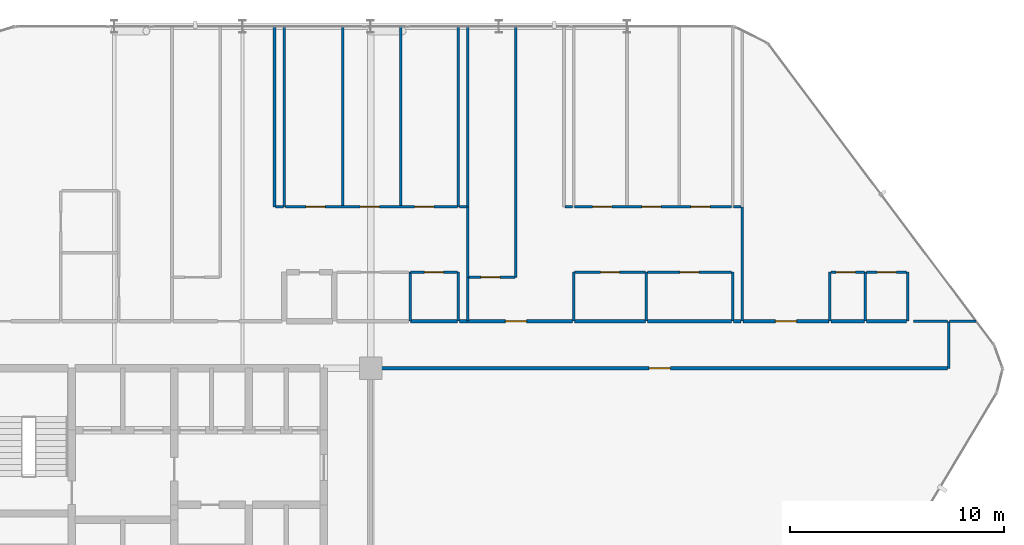
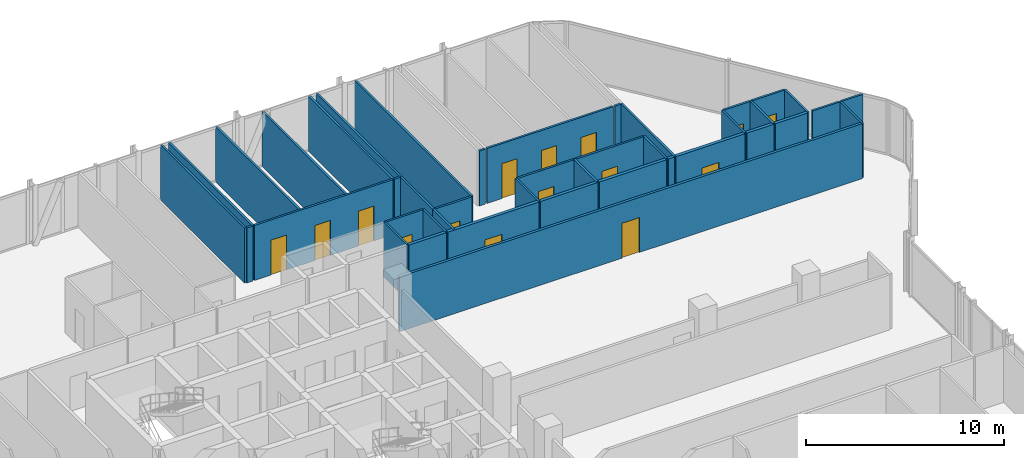
# One storey, part 27 of 29: 42 walls, 15 doors, 15 openings.
"""IFC4 building model written with IfcOpenShell, lengths in metres."""

from ifc_helpers import new_model, si_unit, direction, frame, frame_2d, origin, place, context, subcontext, project, spatial, rectangle, extrude, material, layer, layer_set, type_object, element, fill, save


model = new_model("IFC4")

# Units and contexts
model_context = context("Model", 3, precision=1e-05, world=origin(), true_north=direction((0.0, 1.0)))
body_context = subcontext(model_context, "Body", "Model", "MODEL_VIEW")
ifc_project = project(units=[si_unit("LENGTHUNIT", "METRE"), si_unit("AREAUNIT", "SQUARE_METRE"), si_unit("VOLUMEUNIT", "CUBIC_METRE"), si_unit("PLANEANGLEUNIT", "RADIAN"), si_unit("MASSUNIT", "GRAM", prefix="KILO")], contexts=[model_context])

# Site, building, storey
site_placement = place(None, origin())
site = spatial("IfcSite", under=ifc_project, at=site_placement, CompositionType="ELEMENT")
building_placement = place(site_placement, origin())
building = spatial("IfcBuilding", under=site, at=building_placement, Name="Keshet Zoharim Tower", CompositionType="ELEMENT")
storey_placement = place(building_placement, frame((0.0, 0.0, 102.0)))
storey = spatial("IfcBuildingStorey", under=building, at=storey_placement, Name="L24", CompositionType="ELEMENT", Elevation=102.0)

# Wall, opening, door
ifc_material_1 = material(Name="Gypsum Plasterboard", Category="gypsum")
ifc_layer_1 = layer(ifc_material_1, 0.14990234375)
ifc_layer_set_1 = layer_set([ifc_layer_1], Name="Gypsum Plasterboard")
wall_type_1 = type_object("IfcWallType", Name="WL-CLIN-150", PredefinedType="STANDARD", material=ifc_layer_set_1)
wall_1_placement = place(storey_placement, frame((33.070068359375, 37.89990234375, 0.0), z_axis=(0.0, 0.0, 1.0), x_axis=(1.0, 0.0, 0.0)))
wall_1 = element("IfcWall", 1, at=wall_1_placement, inside=storey, type_object=wall_type_1, Name="L24 Interior Wall 186", PredefinedType="STANDARD", context=body_context, shape_type="SweptSolid", body=[
    extrude(rectangle(XDim=26.934814453125, YDim=0.14990234375, at=frame_2d((13.46728515625, 0.0))), origin(), (0.0, 0.0, 1.0), 3.385009765625),
])
opening_1_placement = place(wall_1_placement, frame((12.9599609375, 0.0, 0.0)))
opening_1 = element("IfcOpeningElement", 2, at=opening_1_placement, cuts=wall_1, Name="Opening D-F310", PredefinedType="OPENING", context=body_context, shape_type="SweptSolid", body=[
    extrude(rectangle(XDim=1.0, YDim=2.14990234375, at=frame_2d((0.5, 1.074951171875))), frame((0.0, 0.0849609375, 0.0), z_axis=(0.0, -1.0, 0.0), x_axis=(1.0, 0.0, 0.0)), (0.0, 0.0, 1.0), 0.169921875),
])
ifc_material_2 = material(Name="Hardwood Timber", Category="wood")
door_type_1 = type_object("IfcDoorType", Name="DR-FD30-100", OperationType="NOTDEFINED", PredefinedType="DOOR", material=ifc_material_2)
door_1_placement = place(opening_1_placement, origin())
door_1 = element("IfcDoor", 3, at=door_1_placement, inside=storey, type_object=door_type_1, Name="L24 North East Residents Services Suite Door 1", OperationType="SINGLE_SWING_RIGHT", OverallHeight=2.14990234375, OverallWidth=1.0, PredefinedType="DOOR", context=body_context, shape_type="SweptSolid", body=[
    extrude(rectangle(XDim=1.0, YDim=2.14990234375, at=frame_2d((0.5, 1.074951171875))), frame((0.0, 0.02490234375, 0.0), z_axis=(0.0, -1.0, 0.0), x_axis=(1.0, 0.0, 0.0)), (0.0, 0.0, 1.0), 0.050048828125),
])
fill(opening_1, door_1)

# Wall
ifc_layer_2 = layer(ifc_material_1, 0.179931640625)
ifc_layer_set_2 = layer_set([ifc_layer_2], Name="Gypsum Plasterboard")
wall_type_2 = type_object("IfcWallType", Name="WL-CORR-180", PredefinedType="STANDARD", material=ifc_layer_set_2)
wall_2_placement = place(storey_placement, frame((34.873046875, 40.10009765625, 0.0), z_axis=(0.0, 0.0, 1.0), x_axis=(1.0, 0.0, 0.0)))
element("IfcWall", 4, at=wall_2_placement, inside=storey, type_object=wall_type_2, Name="L24 Interior Wall 195", PredefinedType="STANDARD", context=body_context, shape_type="SweptSolid", body=[
    extrude(rectangle(XDim=2.19189453125, YDim=0.179931640625, at=frame_2d((1.095947265625, 0.0))), origin(), (0.0, 0.0, 1.0), 3.385009765625),
])

# Wall, opening, door
wall_3_placement = place(storey_placement, frame((37.155029296875, 40.10009765625, 0.0), z_axis=(0.0, 0.0, 1.0), x_axis=(1.0, 0.0, 0.0)))
wall_3 = element("IfcWall", 5, at=wall_3_placement, inside=storey, type_object=wall_type_2, Name="L24 Interior Wall 196", PredefinedType="STANDARD", context=body_context, shape_type="SweptSolid", body=[
    extrude(rectangle(XDim=5.300048828125, YDim=0.179931640625, at=frame_2d((2.64990234375, 0.0))), origin(), (0.0, 0.0, 1.0), 3.385009765625),
])
opening_2_placement = place(wall_3_placement, frame((2.14990234375, 0.0, 0.0)))
opening_2 = element("IfcOpeningElement", 6, at=opening_2_placement, cuts=wall_3, Name="Opening D-F310", PredefinedType="OPENING", context=body_context, shape_type="SweptSolid", body=[
    extrude(rectangle(XDim=1.0, YDim=2.14990234375, at=frame_2d((0.5, 1.074951171875))), frame((0.0, 0.10009765625, 0.0), z_axis=(0.0, -1.0, 0.0), x_axis=(1.0, 0.0, 0.0)), (0.0, 0.0, 1.0), 0.199951171875),
])
door_2_placement = place(opening_2_placement, origin())
door_2 = element("IfcDoor", 7, at=door_2_placement, inside=storey, type_object=door_type_1, Name="Apartment 2407 Entrance Door", OperationType="SINGLE_SWING_LEFT", OverallHeight=2.14990234375, OverallWidth=1.0, PredefinedType="DOOR", context=body_context, shape_type="SweptSolid", body=[
    extrude(rectangle(XDim=1.0, YDim=2.14990234375, at=frame_2d((0.5, 1.074951171875))), frame((0.0, 0.02490234375, 0.0), z_axis=(0.0, -1.0, 0.0), x_axis=(1.0, 0.0, 0.0)), (0.0, 0.0, 1.0), 0.050048828125),
])
fill(opening_2, door_2)

# Walls
wall_4_placement = place(storey_placement, frame((42.544921875, 40.10009765625, 0.0), z_axis=(0.0, 0.0, 1.0), x_axis=(1.0, 0.0, 0.0)))
element("IfcWall", 8, at=wall_4_placement, inside=storey, type_object=wall_type_2, Name="L24 Interior Wall 197", PredefinedType="STANDARD", context=body_context, shape_type="SweptSolid", body=[
    extrude(rectangle(XDim=3.328125, YDim=0.179931640625, at=frame_2d((1.6640625, 0.0))), origin(), (0.0, 0.0, 1.0), 3.385009765625),
])
wall_5_placement = place(storey_placement, frame((45.962890625, 40.10009765625, 0.0), z_axis=(0.0, 0.0, 1.0), x_axis=(1.0, 0.0, 0.0)))
element("IfcWall", 9, at=wall_5_placement, inside=storey, type_object=wall_type_2, Name="L24 Interior Wall 198", PredefinedType="STANDARD", context=body_context, shape_type="SweptSolid", body=[
    extrude(rectangle(XDim=3.922119140625, YDim=0.179931640625, at=frame_2d((1.9609375, 0.0))), origin(), (0.0, 0.0, 1.0), 3.385009765625),
])
wall_6_placement = place(storey_placement, frame((49.97509765625, 40.10009765625, 0.0), z_axis=(0.0, 0.0, 1.0), x_axis=(1.0, 0.0, 0.0)))
element("IfcWall", 10, at=wall_6_placement, inside=storey, type_object=wall_type_2, Name="L24 Interior Wall 199", PredefinedType="STANDARD", context=body_context, shape_type="SweptSolid", body=[
    extrude(rectangle(XDim=0.35986328125, YDim=0.179931640625, at=frame_2d((0.179931640625, 0.0))), origin(), (0.0, 0.0, 1.0), 3.385009765625),
])

# Wall, opening, door
wall_7_placement = place(storey_placement, frame((50.425048828125, 40.10009765625, 0.0), z_axis=(0.0, 0.0, 1.0), x_axis=(1.0, 0.0, 0.0)))
wall_7 = element("IfcWall", 11, at=wall_7_placement, inside=storey, type_object=wall_type_2, Name="L24 Interior Wall 200", PredefinedType="STANDARD", context=body_context, shape_type="SweptSolid", body=[
    extrude(rectangle(XDim=4.030029296875, YDim=0.179931640625, at=frame_2d((2.01513671875, 0.0))), origin(), (0.0, 0.0, 1.0), 3.385009765625),
])
opening_3_placement = place(wall_7_placement, frame((1.514892578125, 0.0, 0.0)))
opening_3 = element("IfcOpeningElement", 12, at=opening_3_placement, cuts=wall_7, Name="Opening D-F310", PredefinedType="OPENING", context=body_context, shape_type="SweptSolid", body=[
    extrude(rectangle(XDim=1.0, YDim=2.14990234375, at=frame_2d((0.5, 1.074951171875))), frame((0.0, 0.10009765625, 0.0), z_axis=(0.0, -1.0, 0.0), x_axis=(1.0, 0.0, 0.0)), (0.0, 0.0, 1.0), 0.199951171875),
])
door_3_placement = place(opening_3_placement, origin())
door_3 = element("IfcDoor", 13, at=door_3_placement, inside=storey, type_object=door_type_1, Name="Apartment 2408 Entrance Door", OperationType="SINGLE_SWING_RIGHT", OverallHeight=2.14990234375, OverallWidth=1.0, PredefinedType="DOOR", context=body_context, shape_type="SweptSolid", body=[
    extrude(rectangle(XDim=1.0, YDim=2.14990234375, at=frame_2d((0.5, 1.074951171875))), frame((0.0, 0.02490234375, 0.0), z_axis=(0.0, -1.0, 0.0), x_axis=(1.0, 0.0, 0.0)), (0.0, 0.0, 1.0), 0.050048828125),
])
fill(opening_3, door_3)

# Walls
wall_8_placement = place(storey_placement, frame((54.544921875, 40.10009765625, 0.0), z_axis=(0.0, 0.0, 1.0), x_axis=(1.0, 0.0, 0.0)))
element("IfcWall", 14, at=wall_8_placement, inside=storey, type_object=wall_type_2, Name="L24 Interior Wall 201", PredefinedType="STANDARD", context=body_context, shape_type="SweptSolid", body=[
    extrude(rectangle(XDim=1.5830078125, YDim=0.179931640625, at=frame_2d((0.79150390625, 0.0))), origin(), (0.0, 0.0, 1.0), 3.385009765625),
])
wall_9_placement = place(storey_placement, frame((56.218017578125, 40.10009765625, 0.0), z_axis=(0.0, 0.0, 1.0), x_axis=(1.0, 0.0, 0.0)))
element("IfcWall", 15, at=wall_9_placement, inside=storey, type_object=wall_type_2, Name="L24 Interior Wall 202", PredefinedType="STANDARD", context=body_context, shape_type="SweptSolid", body=[
    extrude(rectangle(XDim=1.875, YDim=0.179931640625, at=frame_2d((0.9375, 0.0))), origin(), (0.0, 0.0, 1.0), 3.385009765625),
])
ifc_layer_3 = layer(ifc_material_1, 0.1201171875)
ifc_layer_set_3 = layer_set([ifc_layer_3], Name="Gypsum Plasterboard")
wall_type_3 = type_object("IfcWallType", Name="WL-PART-120", PredefinedType="PARTITIONING", material=ifc_layer_set_3)
for number, where, z_axis, x_axis, name in (
    (16, (28.5, 45.449951171875, 0.0), (0.0, 0.0, 1.0), (0.0, 1.0, 0.0), "L24 Interior Wall 055"),
    (17, (28.949951171875, 45.449951171875, 0.0), (0.0, 0.0, 1.0), (0.0, 1.0, 0.0), "L24 Interior Wall 058"),
    (18, (31.699951171875, 45.449951171875, 0.0), (0.0, 0.0, 1.0), (0.0, 1.0, 0.0), "L24 Interior Wall 069"),
    (19, (34.39990234375, 45.449951171875, 0.0), (0.0, 0.0, 1.0), (0.0, 1.0, 0.0), "L24 Interior Wall 077"),
    (20, (37.10009765625, 45.449951171875, 0.0), (0.0, 0.0, 1.0), (0.0, 1.0, 0.0), "L24 Interior Wall 082"),
):
    element("IfcWall", number, at=place(storey_placement, frame(where, z_axis=z_axis, x_axis=x_axis)), inside=storey, type_object=wall_type_3, Name=name, PredefinedType="PARTITIONING", context=body_context, shape_type="SweptSolid", body=[
        extrude(rectangle(XDim=8.43994140625, YDim=0.1201171875, at=frame_2d((4.219970703125, 0.0))), origin(), (0.0, 0.0, 1.0), 3.385009765625),
    ])
wall_10_placement = place(storey_placement, frame((37.550048828125, 40.10009765625, 0.0), z_axis=(0.0, 0.0, 1.0), x_axis=(0.0, 1.0, 0.0)))
element("IfcWall", 21, at=wall_10_placement, inside=storey, type_object=wall_type_3, Name="L24 Interior Wall 085", PredefinedType="PARTITIONING", context=body_context, shape_type="SweptSolid", body=[
    extrude(rectangle(XDim=2.0498046875, YDim=0.1201171875, at=frame_2d((1.02490234375, 0.0))), origin(), (0.0, 0.0, 1.0), 3.385009765625),
])
wall_11_placement = place(storey_placement, frame((37.550048828125, 42.14990234375, 0.0), z_axis=(0.0, 0.0, 1.0), x_axis=(0.0, 1.0, 0.0)))
element("IfcWall", 22, at=wall_11_placement, inside=storey, type_object=wall_type_3, Name="L24 Interior Wall 086", PredefinedType="PARTITIONING", context=body_context, shape_type="SweptSolid", body=[
    extrude(rectangle(XDim=3.300048828125, YDim=0.1201171875, at=frame_2d((1.64990234375, 0.0))), origin(), (0.0, 0.0, 1.0), 3.385009765625),
])
wall_12_placement = place(storey_placement, frame((37.550048828125, 45.449951171875, 0.0), z_axis=(0.0, 0.0, 1.0), x_axis=(0.0, 1.0, 0.0)))
element("IfcWall", 23, at=wall_12_placement, inside=storey, type_object=wall_type_3, Name="L24 Interior Wall 087", PredefinedType="PARTITIONING", context=body_context, shape_type="SweptSolid", body=[
    extrude(rectangle(XDim=8.43994140625, YDim=0.1201171875, at=frame_2d((4.219970703125, 0.0))), origin(), (0.0, 0.0, 1.0), 3.385009765625),
])
wall_13_placement = place(storey_placement, frame((39.800048828125, 42.14990234375, 0.0), z_axis=(0.0, 0.0, 1.0), x_axis=(0.0, 1.0, 0.0)))
element("IfcWall", 24, at=wall_13_placement, inside=storey, type_object=wall_type_3, Name="L24 Interior Wall 089", PredefinedType="PARTITIONING", context=body_context, shape_type="SweptSolid", body=[
    extrude(rectangle(XDim=11.739990234375, YDim=0.1201171875, at=frame_2d((5.8701171875, 0.0))), origin(), (0.0, 0.0, 1.0), 3.385009765625),
])
wall_14_placement = place(storey_placement, frame((42.5, 40.10009765625, 0.0), z_axis=(0.0, 0.0, 1.0), x_axis=(0.0, 1.0, 0.0)))
element("IfcWall", 25, at=wall_14_placement, inside=storey, type_object=wall_type_3, Name="L24 Interior Wall 093", PredefinedType="PARTITIONING", context=body_context, shape_type="SweptSolid", body=[
    extrude(rectangle(XDim=2.2998046875, YDim=0.1201171875, at=frame_2d((1.14990234375, 0.0))), origin(), (0.0, 0.0, 1.0), 3.385009765625),
])
wall_15_placement = place(storey_placement, frame((50.39990234375, 40.10009765625, 0.0), z_axis=(0.0, 0.0, 1.0), x_axis=(0.0, 1.0, 0.0)))
element("IfcWall", 26, at=wall_15_placement, inside=storey, type_object=wall_type_3, Name="L24 Interior Wall 106", PredefinedType="PARTITIONING", context=body_context, shape_type="SweptSolid", body=[
    extrude(rectangle(XDim=5.349853515625, YDim=0.1201171875, at=frame_2d((2.6748046875, 0.0))), origin(), (0.0, 0.0, 1.0), 3.385009765625),
])
wall_16_placement = place(storey_placement, frame((54.5, 40.10009765625, 0.0), z_axis=(0.0, 0.0, 1.0), x_axis=(0.0, 1.0, 0.0)))
element("IfcWall", 27, at=wall_16_placement, inside=storey, type_object=wall_type_3, Name="L24 Interior Wall 110", PredefinedType="PARTITIONING", context=body_context, shape_type="SweptSolid", body=[
    extrude(rectangle(XDim=2.2998046875, YDim=0.1201171875, at=frame_2d((1.14990234375, 0.0))), origin(), (0.0, 0.0, 1.0), 3.385009765625),
])
wall_17_placement = place(storey_placement, frame((60.050048828125, 37.889892578125, 0.0), z_axis=(0.0, 0.0, 1.0), x_axis=(0.0, 1.0, 0.0)))
element("IfcWall", 28, at=wall_17_placement, inside=storey, type_object=wall_type_3, Name="L24 Interior Wall 116", PredefinedType="PARTITIONING", context=body_context, shape_type="SweptSolid", body=[
    extrude(rectangle(XDim=2.2001953125, YDim=0.1201171875, at=frame_2d((1.10009765625, 0.0))), origin(), (0.0, 0.0, 1.0), 3.385009765625),
])
wall_18_placement = place(storey_placement, frame((58.39990234375, 40.10009765625, 0.0), z_axis=(0.0, 0.0, 1.0), x_axis=(1.0, 0.0, 0.0)))
element("IfcWall", 29, at=wall_18_placement, inside=storey, type_object=wall_type_3, Name="L24 Interior Wall 203", PredefinedType="PARTITIONING", context=body_context, shape_type="SweptSolid", body=[
    extrude(rectangle(XDim=1.60498046875, YDim=0.1201171875, at=frame_2d((0.802490234375, 0.0))), origin(), (0.0, 0.0, 1.0), 3.385009765625),
])
wall_19_placement = place(storey_placement, frame((60.094970703125, 40.10009765625, 0.0), z_axis=(0.0, 0.0, 1.0), x_axis=(1.0, 0.0, 0.0)))
element("IfcWall", 30, at=wall_19_placement, inside=storey, type_object=wall_type_3, Name="L24 Interior Wall 204", PredefinedType="PARTITIONING", context=body_context, shape_type="SweptSolid", body=[
    extrude(rectangle(XDim=1.2451171875, YDim=0.1201171875, at=frame_2d((0.62255859375, 0.0))), origin(), (0.0, 0.0, 1.0), 3.385009765625),
])

# Wall, opening, door
wall_20_placement = place(storey_placement, frame((37.60498046875, 42.14990234375, 0.0), z_axis=(0.0, 0.0, 1.0), x_axis=(1.0, 0.0, 0.0)))
wall_20 = element("IfcWall", 31, at=wall_20_placement, inside=storey, type_object=wall_type_3, Name="L24 Interior Wall 206", PredefinedType="PARTITIONING", context=body_context, shape_type="SweptSolid", body=[
    extrude(rectangle(XDim=2.159912109375, YDim=0.1201171875, at=frame_2d((1.080078125, 0.0))), origin(), (0.0, 0.0, 1.0), 3.385009765625),
])
opening_4_placement = place(wall_20_placement, frame((0.552978515625, 0.0, 0.0)))
opening_4 = element("IfcOpeningElement", 32, at=opening_4_placement, cuts=wall_20, Name="Opening D-IN90", PredefinedType="OPENING", context=body_context, shape_type="SweptSolid", body=[
    extrude(rectangle(XDim=0.89990234375, YDim=2.14990234375, at=frame_2d((0.449951171875, 1.074951171875))), frame((0.0, 0.070068359375, 0.0), z_axis=(0.0, -1.0, 0.0), x_axis=(1.0, 0.0, 0.0)), (0.0, 0.0, 1.0), 0.14013671875),
])
door_type_2 = type_object("IfcDoorType", Name="DR-INT-090", OperationType="NOTDEFINED", PredefinedType="DOOR", material=ifc_material_2)
door_4_placement = place(opening_4_placement, origin())
door_4 = element("IfcDoor", 33, at=door_4_placement, inside=storey, type_object=door_type_2, Name="Apartment 2407 Formal Dining Room Door", OperationType="SINGLE_SWING_RIGHT", OverallHeight=2.14990234375, OverallWidth=0.89990234375, PredefinedType="DOOR", context=body_context, shape_type="SweptSolid", body=[
    extrude(rectangle(XDim=0.89990234375, YDim=2.14990234375, at=frame_2d((0.449951171875, 1.074951171875))), frame((0.0, 0.02490234375, 0.0), z_axis=(0.0, -1.0, 0.0), x_axis=(1.0, 0.0, 0.0)), (0.0, 0.0, 1.0), 0.050048828125),
])
fill(opening_4, door_4)

wall_21_placement = place(storey_placement, frame((42.544921875, 42.39990234375, 0.0), z_axis=(0.0, 0.0, 1.0), x_axis=(1.0, 0.0, 0.0)))
wall_21 = element("IfcWall", 34, at=wall_21_placement, inside=storey, type_object=wall_type_3, Name="L24 Interior Wall 210", PredefinedType="PARTITIONING", context=body_context, shape_type="SweptSolid", body=[
    extrude(rectangle(XDim=3.328125, YDim=0.1201171875, at=frame_2d((1.6640625, 0.0))), origin(), (0.0, 0.0, 1.0), 3.385009765625),
])
opening_5_placement = place(wall_21_placement, frame((1.214111328125, 0.0, 0.0)))
opening_5 = element("IfcOpeningElement", 35, at=opening_5_placement, cuts=wall_21, Name="Opening D-IN90", PredefinedType="OPENING", context=body_context, shape_type="SweptSolid", body=[
    extrude(rectangle(XDim=0.89990234375, YDim=2.14990234375, at=frame_2d((0.449951171875, 1.074951171875))), frame((0.0, 0.070068359375, 0.0), z_axis=(0.0, -1.0, 0.0), x_axis=(1.0, 0.0, 0.0)), (0.0, 0.0, 1.0), 0.14013671875),
])
door_5_placement = place(opening_5_placement, origin())
door_5 = element("IfcDoor", 36, at=door_5_placement, inside=storey, type_object=door_type_2, Name="Apartment 2407 Kitchen Door", OperationType="SINGLE_SWING_RIGHT", OverallHeight=2.14990234375, OverallWidth=0.89990234375, PredefinedType="DOOR", context=body_context, shape_type="SweptSolid", body=[
    extrude(rectangle(XDim=0.89990234375, YDim=2.14990234375, at=frame_2d((0.449951171875, 1.074951171875))), frame((0.0, 0.02490234375, 0.0), z_axis=(0.0, -1.0, 0.0), x_axis=(1.0, 0.0, 0.0)), (0.0, 0.0, 1.0), 0.050048828125),
])
fill(opening_5, door_5)

wall_22_placement = place(storey_placement, frame((54.544921875, 42.39990234375, 0.0), z_axis=(0.0, 0.0, 1.0), x_axis=(1.0, 0.0, 0.0)))
wall_22 = element("IfcWall", 37, at=wall_22_placement, inside=storey, type_object=wall_type_3, Name="L24 Interior Wall 212", PredefinedType="PARTITIONING", context=body_context, shape_type="SweptSolid", body=[
    extrude(rectangle(XDim=1.5830078125, YDim=0.1201171875, at=frame_2d((0.79150390625, 0.0))), origin(), (0.0, 0.0, 1.0), 3.385009765625),
])
opening_6_placement = place(wall_22_placement, frame((0.2490234375, 0.0, 0.0)))
opening_6 = element("IfcOpeningElement", 38, at=opening_6_placement, cuts=wall_22, Name="Opening D-IN90", PredefinedType="OPENING", context=body_context, shape_type="SweptSolid", body=[
    extrude(rectangle(XDim=0.89990234375, YDim=2.14990234375, at=frame_2d((0.449951171875, 1.074951171875))), frame((0.0, 0.070068359375, 0.0), z_axis=(0.0, -1.0, 0.0), x_axis=(1.0, 0.0, 0.0)), (0.0, 0.0, 1.0), 0.14013671875),
])
door_6_placement = place(opening_6_placement, origin())
door_6 = element("IfcDoor", 39, at=door_6_placement, inside=storey, type_object=door_type_2, Name="Apartment 2408 Kitchen Door", OperationType="SINGLE_SWING_RIGHT", OverallHeight=2.14990234375, OverallWidth=0.89990234375, PredefinedType="DOOR", context=body_context, shape_type="SweptSolid", body=[
    extrude(rectangle(XDim=0.89990234375, YDim=2.14990234375, at=frame_2d((0.449951171875, 1.074951171875))), frame((0.0, 0.02490234375, 0.0), z_axis=(0.0, -1.0, 0.0), x_axis=(1.0, 0.0, 0.0)), (0.0, 0.0, 1.0), 0.050048828125),
])
fill(opening_6, door_6)

# Wall
wall_23_placement = place(storey_placement, frame((28.554931640625, 45.449951171875, 0.0), z_axis=(0.0, 0.0, 1.0), x_axis=(1.0, 0.0, 0.0)))
element("IfcWall", 40, at=wall_23_placement, inside=storey, type_object=wall_type_3, Name="L24 Interior Wall 215", PredefinedType="PARTITIONING", context=body_context, shape_type="SweptSolid", body=[
    extrude(rectangle(XDim=0.360107421875, YDim=0.1201171875, at=frame_2d((0.18017578125, 0.0))), origin(), (0.0, 0.0, 1.0), 3.385009765625),
])

# Wall, openings, doors
wall_24_placement = place(storey_placement, frame((29.0048828125, 45.449951171875, 0.0), z_axis=(0.0, 0.0, 1.0), x_axis=(1.0, 0.0, 0.0)))
wall_24 = element("IfcWall", 41, at=wall_24_placement, inside=storey, type_object=wall_type_3, Name="L24 Interior Wall 216", PredefinedType="PARTITIONING", context=body_context, shape_type="SweptSolid", body=[
    extrude(rectangle(XDim=8.06005859375, YDim=0.1201171875, at=frame_2d((4.030029296875, 0.0))), origin(), (0.0, 0.0, 1.0), 3.385009765625),
])
opening_7_placement = place(wall_24_placement, frame((0.968017578125, 0.0, 0.0)))
opening_7 = element("IfcOpeningElement", 42, at=opening_7_placement, cuts=wall_24, Name="Opening D-IN90", PredefinedType="OPENING", context=body_context, shape_type="SweptSolid", body=[
    extrude(rectangle(XDim=0.89990234375, YDim=2.14990234375, at=frame_2d((0.449951171875, 1.074951171875))), frame((0.0, 0.070068359375, 0.0), z_axis=(0.0, -1.0, 0.0), x_axis=(1.0, 0.0, 0.0)), (0.0, 0.0, 1.0), 0.14013671875),
])
opening_8_placement = place(wall_24_placement, frame((3.507080078125, 0.0, 0.0)))
opening_8 = element("IfcOpeningElement", 43, at=opening_8_placement, cuts=wall_24, Name="Opening D-IN90", PredefinedType="OPENING", context=body_context, shape_type="SweptSolid", body=[
    extrude(rectangle(XDim=0.89990234375, YDim=2.14990234375, at=frame_2d((0.449951171875, 1.074951171875))), frame((0.0, 0.070068359375, 0.0), z_axis=(0.0, -1.0, 0.0), x_axis=(1.0, 0.0, 0.0)), (0.0, 0.0, 1.0), 0.14013671875),
])
opening_9_placement = place(wall_24_placement, frame((6.051025390625, 0.0, 0.0)))
opening_9 = element("IfcOpeningElement", 44, at=opening_9_placement, cuts=wall_24, Name="Opening D-IN90", PredefinedType="OPENING", context=body_context, shape_type="SweptSolid", body=[
    extrude(rectangle(XDim=0.89990234375, YDim=2.14990234375, at=frame_2d((0.449951171875, 1.074951171875))), frame((0.0, 0.070068359375, 0.0), z_axis=(0.0, -1.0, 0.0), x_axis=(1.0, 0.0, 0.0)), (0.0, 0.0, 1.0), 0.14013671875),
])
door_7_placement = place(opening_7_placement, origin())
door_7 = element("IfcDoor", 45, at=door_7_placement, inside=storey, type_object=door_type_2, Name="Apartment 2406 Bedroom 1 Door", OperationType="SINGLE_SWING_RIGHT", OverallHeight=2.14990234375, OverallWidth=0.89990234375, PredefinedType="DOOR", context=body_context, shape_type="SweptSolid", body=[
    extrude(rectangle(XDim=0.89990234375, YDim=2.14990234375, at=frame_2d((0.449951171875, 1.074951171875))), frame((0.0, 0.02490234375, 0.0), z_axis=(0.0, -1.0, 0.0), x_axis=(1.0, 0.0, 0.0)), (0.0, 0.0, 1.0), 0.050048828125),
])
fill(opening_7, door_7)
door_8_placement = place(opening_8_placement, origin())
door_8 = element("IfcDoor", 46, at=door_8_placement, inside=storey, type_object=door_type_2, Name="Apartment 2406 Bedroom 2 Door", OperationType="SINGLE_SWING_LEFT", OverallHeight=2.14990234375, OverallWidth=0.89990234375, PredefinedType="DOOR", context=body_context, shape_type="SweptSolid", body=[
    extrude(rectangle(XDim=0.89990234375, YDim=2.14990234375, at=frame_2d((0.449951171875, 1.074951171875))), frame((0.0, 0.02490234375, 0.0), z_axis=(0.0, -1.0, 0.0), x_axis=(1.0, 0.0, 0.0)), (0.0, 0.0, 1.0), 0.050048828125),
])
fill(opening_8, door_8)
door_9_placement = place(opening_9_placement, origin())
door_9 = element("IfcDoor", 47, at=door_9_placement, inside=storey, type_object=door_type_2, Name="Apartment 2406 Bedroom 3 Door", OperationType="SINGLE_SWING_RIGHT", OverallHeight=2.14990234375, OverallWidth=0.89990234375, PredefinedType="DOOR", context=body_context, shape_type="SweptSolid", body=[
    extrude(rectangle(XDim=0.89990234375, YDim=2.14990234375, at=frame_2d((0.449951171875, 1.074951171875))), frame((0.0, 0.02490234375, 0.0), z_axis=(0.0, -1.0, 0.0), x_axis=(1.0, 0.0, 0.0)), (0.0, 0.0, 1.0), 0.050048828125),
])
fill(opening_9, door_9)

# Walls
wall_25_placement = place(storey_placement, frame((37.155029296875, 45.449951171875, 0.0), z_axis=(0.0, 0.0, 1.0), x_axis=(1.0, 0.0, 0.0)))
element("IfcWall", 48, at=wall_25_placement, inside=storey, type_object=wall_type_3, Name="L24 Interior Wall 217", PredefinedType="PARTITIONING", context=body_context, shape_type="SweptSolid", body=[
    extrude(rectangle(XDim=0.35986328125, YDim=0.1201171875, at=frame_2d((0.179931640625, 0.0))), origin(), (0.0, 0.0, 1.0), 3.385009765625),
])
wall_26_placement = place(storey_placement, frame((42.094970703125, 45.449951171875, 0.0), z_axis=(0.0, 0.0, 1.0), x_axis=(1.0, 0.0, 0.0)))
element("IfcWall", 49, at=wall_26_placement, inside=storey, type_object=wall_type_3, Name="L24 Interior Wall 218", PredefinedType="PARTITIONING", context=body_context, shape_type="SweptSolid", body=[
    extrude(rectangle(XDim=0.360107421875, YDim=0.1201171875, at=frame_2d((0.18017578125, 0.0))), origin(), (0.0, 0.0, 1.0), 3.385009765625),
])

# Wall, openings, doors
wall_27_placement = place(storey_placement, frame((42.544921875, 45.449951171875, 0.0), z_axis=(0.0, 0.0, 1.0), x_axis=(1.0, 0.0, 0.0)))
wall_27 = element("IfcWall", 50, at=wall_27_placement, inside=storey, type_object=wall_type_3, Name="L24 Interior Wall 219", PredefinedType="PARTITIONING", context=body_context, shape_type="SweptSolid", body=[
    extrude(rectangle(XDim=7.340087890625, YDim=0.1201171875, at=frame_2d((3.669921875, 0.0))), origin(), (0.0, 0.0, 1.0), 3.385009765625),
])
opening_10_placement = place(wall_27_placement, frame((0.845947265625, 0.0, 0.0)))
opening_10 = element("IfcOpeningElement", 51, at=opening_10_placement, cuts=wall_27, Name="Opening D-IN90", PredefinedType="OPENING", context=body_context, shape_type="SweptSolid", body=[
    extrude(rectangle(XDim=0.89990234375, YDim=2.14990234375, at=frame_2d((0.449951171875, 1.074951171875))), frame((0.0, 0.070068359375, 0.0), z_axis=(0.0, -1.0, 0.0), x_axis=(1.0, 0.0, 0.0)), (0.0, 0.0, 1.0), 0.14013671875),
])
opening_11_placement = place(wall_27_placement, frame((3.14501953125, 0.0, 0.0)))
opening_11 = element("IfcOpeningElement", 52, at=opening_11_placement, cuts=wall_27, Name="Opening D-IN90", PredefinedType="OPENING", context=body_context, shape_type="SweptSolid", body=[
    extrude(rectangle(XDim=0.89990234375, YDim=2.14990234375, at=frame_2d((0.449951171875, 1.074951171875))), frame((0.0, 0.070068359375, 0.0), z_axis=(0.0, -1.0, 0.0), x_axis=(1.0, 0.0, 0.0)), (0.0, 0.0, 1.0), 0.14013671875),
])
opening_12_placement = place(wall_27_placement, frame((5.448974609375, 0.0, 0.0)))
opening_12 = element("IfcOpeningElement", 53, at=opening_12_placement, cuts=wall_27, Name="Opening D-IN90", PredefinedType="OPENING", context=body_context, shape_type="SweptSolid", body=[
    extrude(rectangle(XDim=0.89990234375, YDim=2.14990234375, at=frame_2d((0.449951171875, 1.074951171875))), frame((0.0, 0.070068359375, 0.0), z_axis=(0.0, -1.0, 0.0), x_axis=(1.0, 0.0, 0.0)), (0.0, 0.0, 1.0), 0.14013671875),
])
door_10_placement = place(opening_10_placement, origin())
door_10 = element("IfcDoor", 54, at=door_10_placement, inside=storey, type_object=door_type_2, Name="Apartment 2407 Bedroom 1 Door", OperationType="SINGLE_SWING_LEFT", OverallHeight=2.14990234375, OverallWidth=0.89990234375, PredefinedType="DOOR", context=body_context, shape_type="SweptSolid", body=[
    extrude(rectangle(XDim=0.89990234375, YDim=2.14990234375, at=frame_2d((0.449951171875, 1.074951171875))), frame((0.0, 0.02490234375, 0.0), z_axis=(0.0, -1.0, 0.0), x_axis=(1.0, 0.0, 0.0)), (0.0, 0.0, 1.0), 0.050048828125),
])
fill(opening_10, door_10)
door_11_placement = place(opening_11_placement, origin())
door_11 = element("IfcDoor", 55, at=door_11_placement, inside=storey, type_object=door_type_2, Name="Apartment 2407 Bedroom 2 Door", OperationType="SINGLE_SWING_RIGHT", OverallHeight=2.14990234375, OverallWidth=0.89990234375, PredefinedType="DOOR", context=body_context, shape_type="SweptSolid", body=[
    extrude(rectangle(XDim=0.89990234375, YDim=2.14990234375, at=frame_2d((0.449951171875, 1.074951171875))), frame((0.0, 0.02490234375, 0.0), z_axis=(0.0, -1.0, 0.0), x_axis=(1.0, 0.0, 0.0)), (0.0, 0.0, 1.0), 0.050048828125),
])
fill(opening_11, door_11)
door_12_placement = place(opening_12_placement, origin())
door_12 = element("IfcDoor", 56, at=door_12_placement, inside=storey, type_object=door_type_2, Name="Apartment 2407 Bedroom 3 Door", OperationType="SINGLE_SWING_LEFT", OverallHeight=2.14990234375, OverallWidth=0.89990234375, PredefinedType="DOOR", context=body_context, shape_type="SweptSolid", body=[
    extrude(rectangle(XDim=0.89990234375, YDim=2.14990234375, at=frame_2d((0.449951171875, 1.074951171875))), frame((0.0, 0.02490234375, 0.0), z_axis=(0.0, -1.0, 0.0), x_axis=(1.0, 0.0, 0.0)), (0.0, 0.0, 1.0), 0.050048828125),
])
fill(opening_12, door_12)

# Walls
wall_28_placement = place(storey_placement, frame((49.97509765625, 45.449951171875, 0.0), z_axis=(0.0, 0.0, 1.0), x_axis=(1.0, 0.0, 0.0)))
element("IfcWall", 57, at=wall_28_placement, inside=storey, type_object=wall_type_3, Name="L24 Interior Wall 220", PredefinedType="PARTITIONING", context=body_context, shape_type="SweptSolid", body=[
    extrude(rectangle(XDim=0.35986328125, YDim=0.1201171875, at=frame_2d((0.179931640625, 0.0))), origin(), (0.0, 0.0, 1.0), 3.385009765625),
])
ifc_layer_4 = layer(ifc_material_1, 0.1201171875)
ifc_layer_set_4 = layer_set([ifc_layer_4], Name="Gypsum Plasterboard")
wall_type_4 = type_object("IfcWallType", Name="WL-WET-120", PredefinedType="PARTITIONING", material=ifc_layer_set_4)
for number, where, z_axis, x_axis, name in (
    (58, (34.85009765625, 40.10009765625, 0.0), (0.0, 0.0, 1.0), (0.0, 1.0, 0.0), "L24 Interior Wall 079"),
    (59, (37.10009765625, 40.10009765625, 0.0), (0.0, 0.0, 1.0), (0.0, 1.0, 0.0), "L24 Interior Wall 081"),
    (60, (45.89990234375, 40.10009765625, 0.0), (0.0, 0.0, 1.0), (0.0, 1.0, 0.0), "L24 Interior Wall 099"),
    (61, (49.949951171875, 40.10009765625, 0.0), (0.0, 0.0, 1.0), (0.0, 1.0, 0.0), "L24 Interior Wall 104"),
    (62, (56.14990234375, 40.10009765625, 0.0), (0.0, 0.0, 1.0), (0.0, 1.0, 0.0), "L24 Interior Wall 113"),
    (63, (58.14990234375, 40.10009765625, 0.0), (0.0, 0.0, 1.0), (0.0, 1.0, 0.0), "L24 Interior Wall 115"),
):
    element("IfcWall", number, at=place(storey_placement, frame(where, z_axis=z_axis, x_axis=x_axis)), inside=storey, type_object=wall_type_4, Name=name, PredefinedType="PARTITIONING", context=body_context, shape_type="SweptSolid", body=[
        extrude(rectangle(XDim=2.2998046875, YDim=0.1201171875, at=frame_2d((1.14990234375, 0.0))), origin(), (0.0, 0.0, 1.0), 3.385009765625),
    ])

# Wall, opening, door
wall_29_placement = place(storey_placement, frame((34.873046875, 42.39990234375, 0.0), z_axis=(0.0, 0.0, 1.0), x_axis=(1.0, 0.0, 0.0)))
wall_29 = element("IfcWall", 64, at=wall_29_placement, inside=storey, type_object=wall_type_4, Name="L24 Interior Wall 209", PredefinedType="PARTITIONING", context=body_context, shape_type="SweptSolid", body=[
    extrude(rectangle(XDim=2.19189453125, YDim=0.1201171875, at=frame_2d((1.095947265625, 0.0))), origin(), (0.0, 0.0, 1.0), 3.385009765625),
])
opening_13_placement = place(wall_29_placement, frame((0.64599609375, 0.0, 0.0)))
opening_13 = element("IfcOpeningElement", 65, at=opening_13_placement, cuts=wall_29, Name="Opening D-WT90", PredefinedType="OPENING", context=body_context, shape_type="SweptSolid", body=[
    extrude(rectangle(XDim=0.89990234375, YDim=2.10009765625, at=frame_2d((0.449951171875, 1.050048828125))), frame((0.0, 0.070068359375, 0.0), z_axis=(0.0, -1.0, 0.0), x_axis=(1.0, 0.0, 0.0)), (0.0, 0.0, 1.0), 0.14013671875),
])
door_type_3 = type_object("IfcDoorType", Name="DR-WET-090", OperationType="NOTDEFINED", PredefinedType="DOOR", material=ifc_material_2)
door_13_placement = place(opening_13_placement, origin())
door_13 = element("IfcDoor", 66, at=door_13_placement, inside=storey, type_object=door_type_3, Name="Apartment 2406 Bathroom Door", OperationType="SINGLE_SWING_LEFT", OverallHeight=2.10009765625, OverallWidth=0.89990234375, PredefinedType="DOOR", context=body_context, shape_type="SweptSolid", body=[
    extrude(rectangle(XDim=0.89990234375, YDim=2.10009765625, at=frame_2d((0.449951171875, 1.050048828125))), frame((0.0, 0.02490234375, 0.0), z_axis=(0.0, -1.0, 0.0), x_axis=(1.0, 0.0, 0.0)), (0.0, 0.0, 1.0), 0.050048828125),
])
fill(opening_13, door_13)

wall_30_placement = place(storey_placement, frame((45.962890625, 42.39990234375, 0.0), z_axis=(0.0, 0.0, 1.0), x_axis=(1.0, 0.0, 0.0)))
wall_30 = element("IfcWall", 67, at=wall_30_placement, inside=storey, type_object=wall_type_4, Name="L24 Interior Wall 211", PredefinedType="PARTITIONING", context=body_context, shape_type="SweptSolid", body=[
    extrude(rectangle(XDim=3.922119140625, YDim=0.1201171875, at=frame_2d((1.9609375, 0.0))), origin(), (0.0, 0.0, 1.0), 3.385009765625),
])
opening_14_placement = place(wall_30_placement, frame((1.510986328125, 0.0, 0.0)))
opening_14 = element("IfcOpeningElement", 68, at=opening_14_placement, cuts=wall_30, Name="Opening D-WT90", PredefinedType="OPENING", context=body_context, shape_type="SweptSolid", body=[
    extrude(rectangle(XDim=0.89990234375, YDim=2.10009765625, at=frame_2d((0.449951171875, 1.050048828125))), frame((0.0, 0.070068359375, 0.0), z_axis=(0.0, -1.0, 0.0), x_axis=(1.0, 0.0, 0.0)), (0.0, 0.0, 1.0), 0.14013671875),
])
door_14_placement = place(opening_14_placement, origin())
door_14 = element("IfcDoor", 69, at=door_14_placement, inside=storey, type_object=door_type_3, Name="Apartment 2407 Bathroom Door", OperationType="SINGLE_SWING_LEFT", OverallHeight=2.10009765625, OverallWidth=0.89990234375, PredefinedType="DOOR", context=body_context, shape_type="SweptSolid", body=[
    extrude(rectangle(XDim=0.89990234375, YDim=2.10009765625, at=frame_2d((0.449951171875, 1.050048828125))), frame((0.0, 0.02490234375, 0.0), z_axis=(0.0, -1.0, 0.0), x_axis=(1.0, 0.0, 0.0)), (0.0, 0.0, 1.0), 0.050048828125),
])
fill(opening_14, door_14)

wall_31_placement = place(storey_placement, frame((56.218017578125, 42.39990234375, 0.0), z_axis=(0.0, 0.0, 1.0), x_axis=(1.0, 0.0, 0.0)))
wall_31 = element("IfcWall", 70, at=wall_31_placement, inside=storey, type_object=wall_type_4, Name="L24 Interior Wall 213", PredefinedType="PARTITIONING", context=body_context, shape_type="SweptSolid", body=[
    extrude(rectangle(XDim=1.875, YDim=0.1201171875, at=frame_2d((0.9375, 0.0))), origin(), (0.0, 0.0, 1.0), 3.385009765625),
])
opening_15_placement = place(wall_31_placement, frame((0.488037109375, 0.0, 0.0)))
opening_15 = element("IfcOpeningElement", 71, at=opening_15_placement, cuts=wall_31, Name="Opening D-WT90", PredefinedType="OPENING", context=body_context, shape_type="SweptSolid", body=[
    extrude(rectangle(XDim=0.89990234375, YDim=2.10009765625, at=frame_2d((0.449951171875, 1.050048828125))), frame((0.0, 0.070068359375, 0.0), z_axis=(0.0, -1.0, 0.0), x_axis=(1.0, 0.0, 0.0)), (0.0, 0.0, 1.0), 0.14013671875),
])
door_15_placement = place(opening_15_placement, origin())
door_15 = element("IfcDoor", 72, at=door_15_placement, inside=storey, type_object=door_type_3, Name="Apartment 2408 Bathroom Door", OperationType="SINGLE_SWING_LEFT", OverallHeight=2.10009765625, OverallWidth=0.89990234375, PredefinedType="DOOR", context=body_context, shape_type="SweptSolid", body=[
    extrude(rectangle(XDim=0.89990234375, YDim=2.10009765625, at=frame_2d((0.449951171875, 1.050048828125))), frame((0.0, 0.02490234375, 0.0), z_axis=(0.0, -1.0, 0.0), x_axis=(1.0, 0.0, 0.0)), (0.0, 0.0, 1.0), 0.050048828125),
])
fill(opening_15, door_15)

save(model, "model.ifc")
